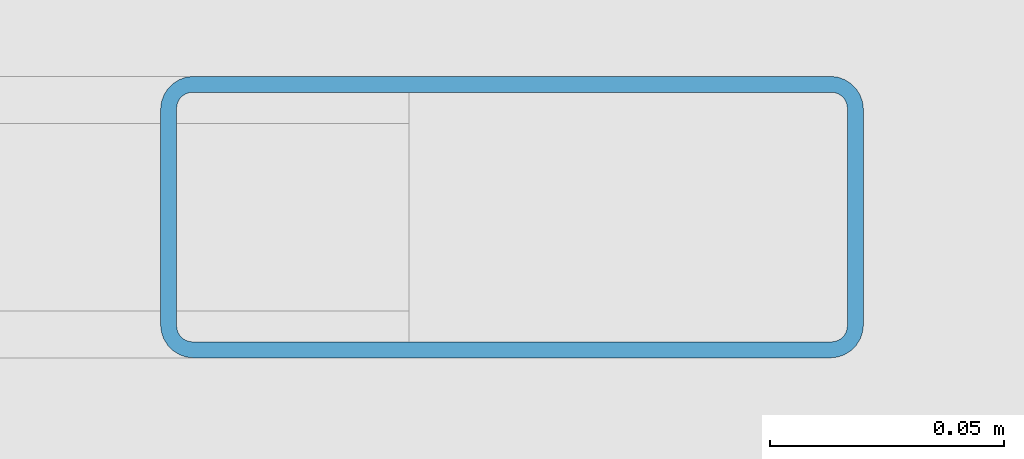
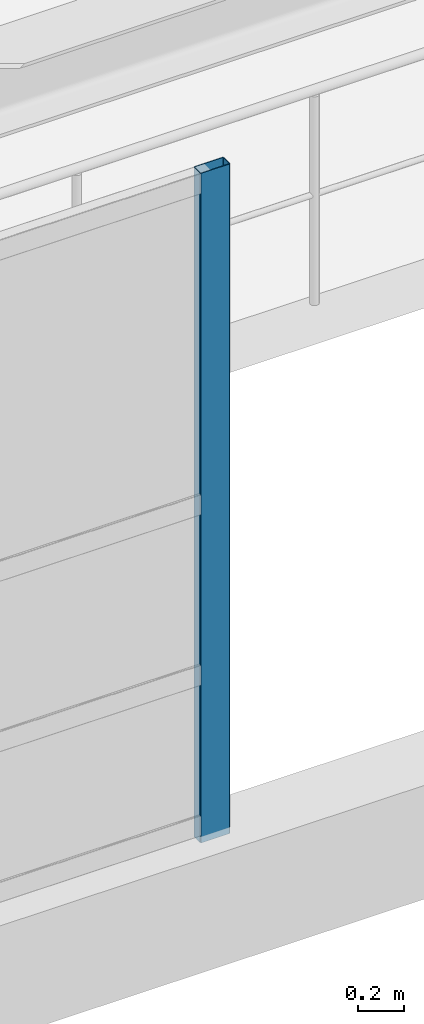
# One storey, part 75 of 197: 1 member, 1 element without a shape of its own.
"""IFC4 building model written with IfcOpenShell, lengths in metres."""

from ifc_helpers import new_model, si_unit, derived_unit, direction, frame, origin, origin_2d, place, context, subcontext, project, spatial, hollow_rectangle, extrude, material, layer, layer_set, material_profile, profile_set, type_object, element, aggregate, save


model = new_model("IFC4")

# Units and contexts
model_context = context("Model", 3, precision=1e-05, world=origin(), true_north=direction((0.0, 1.0)))
body_context = subcontext(model_context, "Body", "Model", "MODEL_VIEW")
ifc_project = project(units=[si_unit("LENGTHUNIT", "METRE"), si_unit("AREAUNIT", "SQUARE_METRE"), si_unit("VOLUMEUNIT", "CUBIC_METRE"), si_unit("PLANEANGLEUNIT", "RADIAN"), si_unit("MASSUNIT", "GRAM", prefix="KILO"), derived_unit("THERMALTRANSMITTANCEUNIT", [(si_unit("POWERUNIT", "WATT"), 1), (si_unit("LENGTHUNIT", "METRE"), -2), (si_unit("THERMODYNAMICTEMPERATUREUNIT", "KELVIN"), -1)])], contexts=[model_context])

# Site, building, storey
site_placement = place(None, origin())
site = spatial("IfcSite", under=ifc_project, at=site_placement, CompositionType="ELEMENT")
building_placement = place(site_placement, origin())
building = spatial("IfcBuilding", under=site, at=building_placement, Name="Almenara Railside Exhibition Hall", CompositionType="ELEMENT")
storey_placement = place(building_placement, frame((0.0, 0.0, 5.39990234375)))
storey = spatial("IfcBuildingStorey", under=building, at=storey_placement, Name="L01", CompositionType="ELEMENT", Elevation=5.39990234375)

# Curtain wall, member
ifc_material_1 = material(Name="Bronze-anodised aluminium and low-E double glazing", Category="aluminium")
ifc_layer = layer(ifc_material_1, 0.179931640625, Name="Bronze-anodised aluminium and low-E double glazing")
ifc_layer_set = layer_set([ifc_layer], Name="Bronze-anodised aluminium and low-E double glazing")
curtain_wall_type = type_object("IfcCurtainWallType", Name="Courtyard East Galeria Curtain Wall 2900x3500", PredefinedType="NOTDEFINED", material=ifc_layer_set)
curtain_wall_placement = place(storey_placement, origin())
curtain_wall = element("IfcCurtainWall", 1, at=curtain_wall_placement, inside=storey, type_object=curtain_wall_type, Name="Curtain wall CW-CY2-153", PredefinedType="NOTDEFINED")
ifc_material_2 = material(Name="Bronze-anodised aluminium", Category="aluminium")
ifc_material_profile = material_profile(ifc_material_2, hollow_rectangle(XDim=0.06005859375, YDim=0.14990234375, WallThickness=0.00341796875, InnerFilletRadius=0.00341796875, OuterFilletRadius=0.007080078125, at=origin_2d()), Name="ALU-MUL 60x150x3.5")
ifc_profile_set = profile_set([ifc_material_profile], Name="Bronze-anodised aluminium")
member_type = type_object("IfcMemberType", Name="Curtain Wall Mullion 60x150x3.5", PredefinedType="MULLION", material=ifc_profile_set)
member_placement = place(storey_placement, frame((108.1064453125, 90.0, 0.565185546875), z_axis=(0.0, 0.0, 1.0), x_axis=(0.0, -1.0, 0.0)))
member = element("IfcMember", 2, at=member_placement, type_object=member_type, Name="CW-CY2-153 mullion 1", PredefinedType="MULLION", context=body_context, shape_type="SweptSolid", body=[
    extrude(hollow_rectangle(XDim=0.06005859375, YDim=0.14990234375, WallThickness=0.00341796875, InnerFilletRadius=0.00341796875, OuterFilletRadius=0.007080078125, at=origin_2d()), origin(), (0.0, 0.0, 1.0), 3.534912109375),
])
aggregate(curtain_wall, [member])

save(model, "model.ifc")
